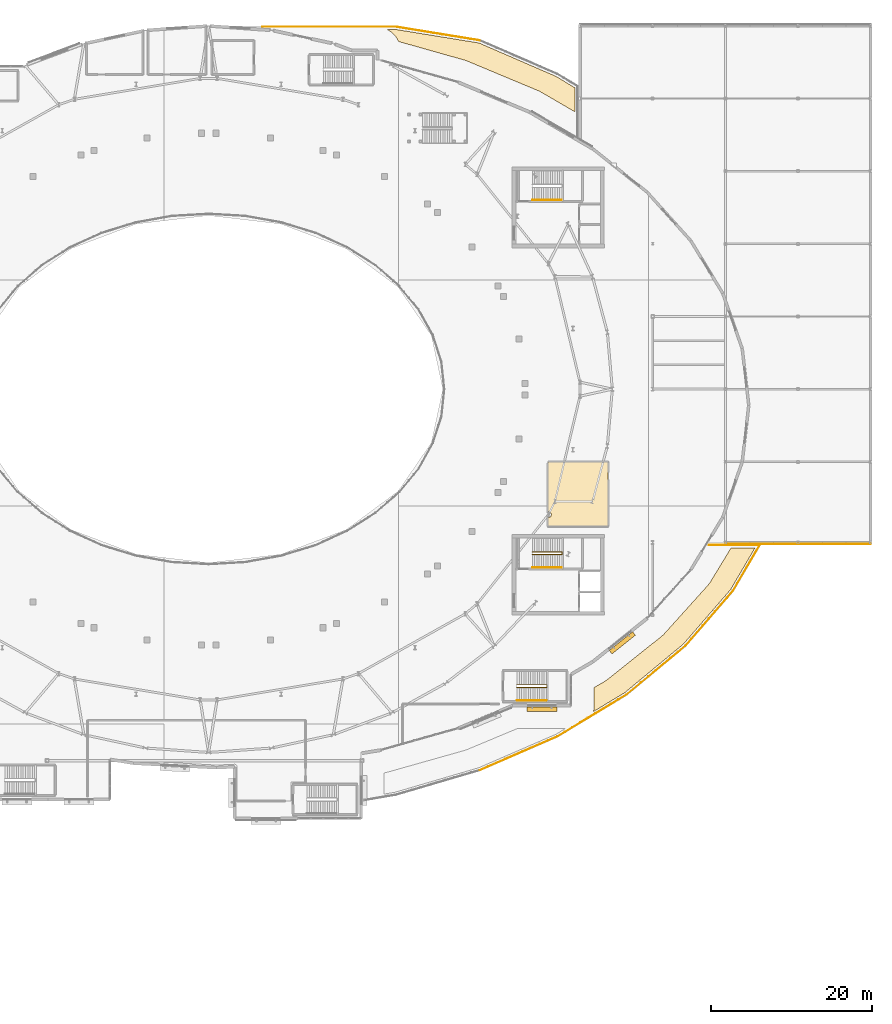
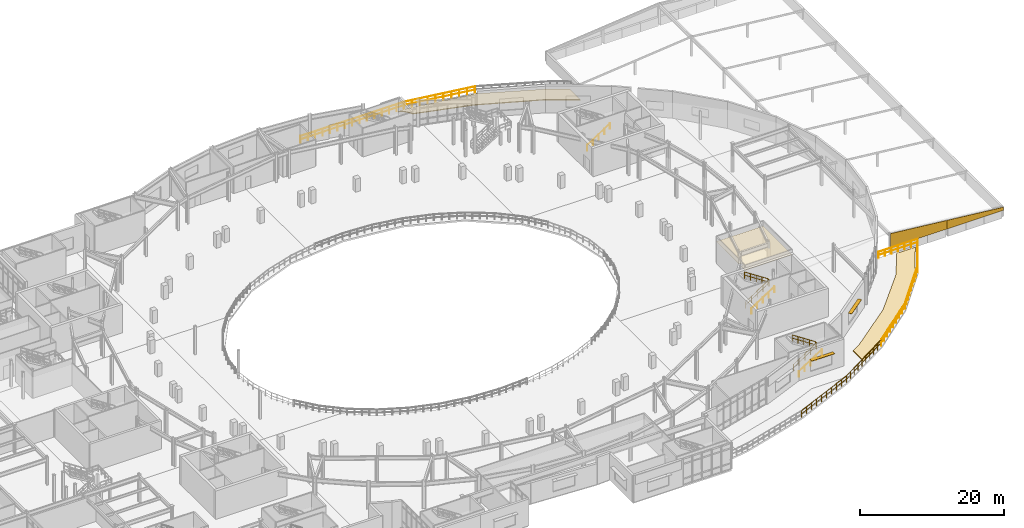
# One storey, part 83 of 84: 13 railings, 5 coverings, 2 shading devices.
"""IFC4 building model written with IfcOpenShell, lengths in metres."""

from ifc_helpers import new_model, si_unit, direction, frame, origin, origin_2d, place, context, subcontext, project, spatial, polyline, rectangle, circle, outline, extrude, material, layer, layer_set, type_object, element, save


model = new_model("IFC4")

# Units and contexts
model_context = context("Model", 3, precision=1e-05, world=origin(), true_north=direction((0.0, 1.0)))
body_context = subcontext(model_context, "Body", "Model", "MODEL_VIEW")
ifc_project = project(units=[si_unit("LENGTHUNIT", "METRE"), si_unit("AREAUNIT", "SQUARE_METRE"), si_unit("VOLUMEUNIT", "CUBIC_METRE"), si_unit("PLANEANGLEUNIT", "RADIAN"), si_unit("MASSUNIT", "GRAM", prefix="KILO")], contexts=[model_context])

# Site, building, storey
site_placement = place(None, origin())
site = spatial("IfcSite", under=ifc_project, at=site_placement, CompositionType="ELEMENT")
building_placement = place(site_placement, origin())
building = spatial("IfcBuilding", under=site, at=building_placement, Name="Glasvene Arena", CompositionType="ELEMENT")
storey_placement = place(building_placement, frame((0.0, 0.0, 10.199951171875)))
storey = spatial("IfcBuildingStorey", under=building, at=storey_placement, Name="L02", CompositionType="ELEMENT", Elevation=10.199951171875)

# Coverings
ifc_material_1 = material(Name="Perforated acoustic mineral ceiling tile")
ifc_layer_1 = layer(ifc_material_1, 0.0400390625)
ifc_layer_set_1 = layer_set([ifc_layer_1], Name="Perforated acoustic mineral ceiling tile")
covering_type_1 = type_object("IfcCoveringType", Name="COV-CEIL-AC", PredefinedType="CEILING", material=ifc_layer_set_1)
covering_1_placement = place(storey_placement, frame((134.67333984375, 57.94970703125, 3.580078125)))
element("IfcCovering", 1, at=covering_1_placement, inside=storey, type_object=covering_type_1, Name="Acoustic suspended ceiling Prairie Club Lounge East", PredefinedType="CEILING", context=body_context, shape_type="SweptSolid", body=[
    extrude(outline(polyline([(-0.613525390625, 6.0302734375), (6.806640625, 6.0302734375), (6.806640625, -1.9296875), (-0.6533203125, -1.9296875), (-0.6533203125, -0.834228515625), (-0.600830078125, -0.8447265625), (-0.585205078125, -0.84619140625), (-0.569580078125, -0.8447265625), (-0.46240234375, -0.8232421875), (-0.447509765625, -0.81884765625), (-0.43359375, -0.8115234375), (-0.3427734375, -0.750732421875), (-0.33056640625, -0.74072265625), (-0.32080078125, -0.728515625), (-0.260009765625, -0.6376953125), (-0.252685546875, -0.6240234375), (-0.248046875, -0.60888671875), (-0.226806640625, -0.501708984375), (-0.225341796875, -0.486328125), (-0.226806640625, -0.470703125), (-0.248046875, -0.363525390625), (-0.252685546875, -0.348388671875), (-0.260009765625, -0.334716796875), (-0.32080078125, -0.243896484375), (-0.33056640625, -0.231689453125), (-0.3427734375, -0.2216796875), (-0.43359375, -0.160888671875), (-0.447509765625, -0.153564453125), (-0.46240234375, -0.149169921875), (-0.569580078125, -0.127685546875), (-0.585205078125, -0.126220703125), (-0.600830078125, -0.127685546875), (-0.6533203125, -0.13818359375), (-0.6533203125, 5.89599609375), (-0.613525390625, 6.0302734375)])), origin(), (0.0, 0.0, 1.0), 0.0400390625),
])
ifc_material_2 = material(Name="Coursed pale Irish limestone", Category="masonry")
ifc_layer_2 = layer(ifc_material_2, 0.050048828125)
ifc_layer_set_2 = layer_set([ifc_layer_2], Name="Coursed pale Irish limestone")
covering_type_2 = type_object("IfcCoveringType", Name="COV-CLAD-LIM", PredefinedType="CLADDING", material=ifc_layer_set_2)
covering_2_placement = place(storey_placement, frame((156.0, 53.7919921875, 1.06005859375), z_axis=(0.0, -1.0, 0.0), x_axis=(1.0, 0.0, 0.0)))
element("IfcCovering", 2, at=covering_2_placement, inside=storey, type_object=covering_type_2, Name="Wing gable architectural fascia cladding V5-001", PredefinedType="CLADDING", context=body_context, shape_type="SweptSolid", body=[
    extrude(outline(polyline([(0.0, 0.0), (9.0, 0.0), (9.0, 1.452880859375), (0.0, 2.3779296875), (0.0, 0.0)])), origin(), (0.0, 0.0, -1.0), 0.050048828125),
])
covering_3_placement = place(storey_placement, frame((165.0, 53.7919921875, 1.06005859375), z_axis=(0.0, -1.0, 0.0), x_axis=(1.0, 0.0, 0.0)))
element("IfcCovering", 3, at=covering_3_placement, inside=storey, type_object=covering_type_2, Name="Wing gable architectural fascia cladding V5-002", PredefinedType="CLADDING", context=body_context, shape_type="SweptSolid", body=[
    extrude(outline(polyline([(0.0, 0.0), (9.0, 0.0), (9.0, 0.528076171875), (0.0, 1.452880859375), (0.0, 0.0)])), origin(), (0.0, 0.0, -1.0), 0.050048828125),
])
ifc_material_3 = material(Name="Planted sedum green roof substrate")
ifc_layer_3 = layer(ifc_material_3, 0.1201171875)
ifc_layer_set_3 = layer_set([ifc_layer_3], Name="Planted sedum green roof substrate")
covering_type_3 = type_object("IfcCoveringType", Name="COV-ROOF-SEDUM", PredefinedType="ROOFING", material=ifc_layer_set_3)
covering_4_placement = place(storey_placement, frame((147.01904296875, 41.32080078125, 0.0)))
element("IfcCovering", 4, at=covering_4_placement, inside=storey, type_object=covering_type_3, Name="Planted limestone terrace sedum bed TR-L02-STEP1-1-02", PredefinedType="ROOFING", context=body_context, shape_type="SweptSolid", body=[
    extrude(outline(polyline([(-7.3701171875, -8.263916015625), (-7.32861328125, -8.098388671875), (-7.320068359375, -8.054931640625), (-7.285400390625, -7.822021484375), (-7.28125, -7.778076171875), (-7.26953125, -7.54296875), (-7.26904296875, -7.520751953125), (-7.26904296875, -5.279052734375), (-5.9873046875, -4.533203125), (-5.95947265625, -4.515625), (-5.669921875, -4.3173828125), (-5.6435546875, -4.2978515625), (1.072509765625, 1.059814453125), (1.086669921875, 1.071533203125), (1.236083984375, 1.201171875), (1.26318359375, 1.226806640625), (1.4013671875, 1.3681640625), (1.4140625, 1.381591796875), (6.817138671875, 7.38916015625), (6.8310546875, 7.405029296875), (6.972412109375, 7.577880859375), (6.99755859375, 7.611572265625), (7.122314453125, 7.796875), (7.133544921875, 7.814453125), (9.69580078125, 12.029296875), (12.65966796875, 12.029296875), (9.63232421875, 6.85693359375), (3.79296875, 0.113037109375), (-3.474853515625, -5.909423828125), (-7.3701171875, -8.263916015625)])), origin(), (0.0, 0.0, 1.0), 0.1201171875),
])
covering_5_placement = place(storey_placement, frame((121.229736328125, 114.74755859375, 0.0)))
element("IfcCovering", 5, at=covering_5_placement, inside=storey, type_object=covering_type_3, Name="Planted limestone terrace sedum bed TR-L02-STEP1-2-03", PredefinedType="ROOFING", context=body_context, shape_type="SweptSolid", body=[
    extrude(outline(polyline([(-7.16796875, 2.802490234375), (-6.063232421875, 2.802490234375), (4.261962890625, 1.125), (13.7958984375, -3.009765625), (16.120361328125, -4.414794921875), (16.120361328125, -7.392578125), (11.938720703125, -4.95947265625), (11.91259765625, -4.9453125), (11.63037109375, -4.804931640625), (11.603271484375, -4.792724609375), (2.786376953125, -1.111328125), (2.760986328125, -1.1015625), (2.48828125, -1.006591796875), (2.46240234375, -0.99853515625), (-5.70263671875, 1.3056640625), (-5.806396484375, 1.526123046875), (-5.8271484375, 1.565185546875), (-5.9482421875, 1.76708984375), (-5.97265625, 1.803955078125), (-6.113037109375, 1.992919921875), (-6.14111328125, 2.027099609375), (-6.29931640625, 2.20166015625), (-6.330322265625, 2.23291015625), (-6.505126953125, 2.39111328125), (-6.5390625, 2.419189453125), (-6.728271484375, 2.559326171875), (-6.76513671875, 2.583984375), (-6.967041015625, 2.705078125), (-7.005859375, 2.725830078125), (-7.16796875, 2.802490234375)])), origin(), (0.0, 0.0, 1.0), 0.1201171875),
])

# Railings
ifc_material_4 = material(Name="Brushed stainless steel", Category="steel")
railing_type_1 = type_object("IfcRailingType", Name="RL-GUARD-1100", PredefinedType="GUARDRAIL", material=ifc_material_4)
railing_1_placement = place(storey_placement, frame((132.10009765625, 52.510009765625, 0.0)))
element("IfcRailing", 6, at=railing_1_placement, inside=storey, type_object=railing_type_1, Name="Stair inner well continuous guardrail ST-04-L02", PredefinedType="GUARDRAIL", context=body_context, shape_type="SweptSolid", body=[
    extrude(circle(Radius=0.02392578125, at=origin_2d()), frame((0.0, 0.0, 1.076171875), z_axis=(0.837590697589, 0.0, 0.546298291515), x_axis=(0.0, 1.0, 0.0)), (0.0, 0.0, 1.0), 4.3935546875),
    extrude(circle(Radius=0.01611328125, at=origin_2d()), frame((0.0, 0.0, 0.550048828125), z_axis=(0.837590697589, 0.0, 0.546298291515), x_axis=(0.0, 1.0, 0.0)), (0.0, 0.0, 1.0), 4.3935546875),
    extrude(circle(Radius=0.02392578125, at=origin_2d()), frame((3.679931640625, 0.0, 3.47607421875), z_axis=(0.0, 1.0, 0.0), x_axis=(-1.0, 0.0, 0.0)), (0.0, 0.0, 1.0), 0.330078125),
    extrude(circle(Radius=0.01611328125, at=origin_2d()), frame((3.679931640625, 0.0, 2.9501953125), z_axis=(0.0, 1.0, 0.0), x_axis=(-1.0, 0.0, 0.0)), (0.0, 0.0, 1.0), 0.330078125),
    extrude(circle(Radius=0.02392578125, at=origin_2d()), frame((3.679931640625, 0.330078125, 3.47607421875), z_axis=(-0.837616124378, 0.0, 0.546259304892), x_axis=(0.0, -1.0, 0.0)), (0.0, 0.0, 1.0), 4.393310546875),
    extrude(circle(Radius=0.01611328125, at=origin_2d()), frame((3.679931640625, 0.330078125, 2.9501953125), z_axis=(-0.837616124378, 0.0, 0.546259304892), x_axis=(0.0, -1.0, 0.0)), (0.0, 0.0, 1.0), 4.393310546875),
    extrude(circle(Radius=0.02099609375, at=origin_2d()), origin(), (0.0, 0.0, 1.0), 1.052001953125),
    extrude(circle(Radius=0.02099609375, at=origin_2d()), frame((0.919921875, 0.0, 0.60009765625)), (0.0, 0.0, 1.0), 1.052001953125),
    extrude(circle(Radius=0.02099609375, at=origin_2d()), frame((1.83984375, 0.0, 1.2001953125)), (0.0, 0.0, 1.0), 1.052001953125),
    extrude(circle(Radius=0.02099609375, at=origin_2d()), frame((2.760009765625, 0.0, 1.800048828125)), (0.0, 0.0, 1.0), 1.052001953125),
    extrude(circle(Radius=0.02099609375, at=origin_2d()), frame((3.679931640625, 0.0, 2.400146484375)), (0.0, 0.0, 1.0), 1.052001953125),
    extrude(circle(Radius=0.02099609375, at=origin_2d()), frame((3.679931640625, 0.330078125, 2.400146484375)), (0.0, 0.0, 1.0), 1.052001953125),
    extrude(circle(Radius=0.02099609375, at=origin_2d()), frame((2.760009765625, 0.330078125, 3.0)), (0.0, 0.0, 1.0), 1.052001953125),
    extrude(circle(Radius=0.02099609375, at=origin_2d()), frame((1.83984375, 0.330078125, 3.60009765625)), (0.0, 0.0, 1.0), 1.052001953125),
    extrude(circle(Radius=0.02099609375, at=origin_2d()), frame((0.919921875, 0.330078125, 4.2001953125)), (0.0, 0.0, 1.0), 1.052001953125),
    extrude(circle(Radius=0.02099609375, at=origin_2d()), frame((0.0, 0.330078125, 4.800048828125)), (0.0, 0.0, 1.0), 1.052001953125),
])
railing_2_placement = place(storey_placement, frame((130.199951171875, 36.06005859375, 0.0)))
element("IfcRailing", 7, at=railing_2_placement, inside=storey, type_object=railing_type_1, Name="Stair inner well continuous guardrail ST-06-L02", PredefinedType="GUARDRAIL", context=body_context, shape_type="SweptSolid", body=[
    extrude(circle(Radius=0.02392578125, at=origin_2d()), frame((0.0, 0.0, 1.076171875), z_axis=(0.837590697589, 0.0, 0.546298291515), x_axis=(0.0, 1.0, 0.0)), (0.0, 0.0, 1.0), 4.3935546875),
    extrude(circle(Radius=0.01611328125, at=origin_2d()), frame((0.0, 0.0, 0.550048828125), z_axis=(0.837590697589, 0.0, 0.546298291515), x_axis=(0.0, 1.0, 0.0)), (0.0, 0.0, 1.0), 4.3935546875),
    extrude(circle(Radius=0.02392578125, at=origin_2d()), frame((3.679931640625, 0.0, 3.47607421875), z_axis=(0.0, 1.0, 0.0), x_axis=(-1.0, 0.0, 0.0)), (0.0, 0.0, 1.0), 0.329833984375),
    extrude(circle(Radius=0.01611328125, at=origin_2d()), frame((3.679931640625, 0.0, 2.9501953125), z_axis=(0.0, 1.0, 0.0), x_axis=(-1.0, 0.0, 0.0)), (0.0, 0.0, 1.0), 0.329833984375),
    extrude(circle(Radius=0.02392578125, at=origin_2d()), frame((3.679931640625, 0.329833984375, 3.47607421875), z_axis=(-0.837616124378, 0.0, 0.546259304892), x_axis=(0.0, -1.0, 0.0)), (0.0, 0.0, 1.0), 4.393310546875),
    extrude(circle(Radius=0.01611328125, at=origin_2d()), frame((3.679931640625, 0.329833984375, 2.9501953125), z_axis=(-0.837616124378, 0.0, 0.546259304892), x_axis=(0.0, -1.0, 0.0)), (0.0, 0.0, 1.0), 4.393310546875),
    extrude(circle(Radius=0.02099609375, at=origin_2d()), origin(), (0.0, 0.0, 1.0), 1.052001953125),
    extrude(circle(Radius=0.02099609375, at=origin_2d()), frame((0.919921875, 0.0, 0.60009765625)), (0.0, 0.0, 1.0), 1.052001953125),
    extrude(circle(Radius=0.02099609375, at=origin_2d()), frame((1.83984375, 0.0, 1.2001953125)), (0.0, 0.0, 1.0), 1.052001953125),
    extrude(circle(Radius=0.02099609375, at=origin_2d()), frame((2.760009765625, 0.0, 1.800048828125)), (0.0, 0.0, 1.0), 1.052001953125),
    extrude(circle(Radius=0.02099609375, at=origin_2d()), frame((3.679931640625, 0.0, 2.400146484375)), (0.0, 0.0, 1.0), 1.052001953125),
    extrude(circle(Radius=0.02099609375, at=origin_2d()), frame((3.679931640625, 0.329833984375, 2.400146484375)), (0.0, 0.0, 1.0), 1.052001953125),
    extrude(circle(Radius=0.02099609375, at=origin_2d()), frame((2.760009765625, 0.329833984375, 3.0)), (0.0, 0.0, 1.0), 1.052001953125),
    extrude(circle(Radius=0.02099609375, at=origin_2d()), frame((1.83984375, 0.329833984375, 3.60009765625)), (0.0, 0.0, 1.0), 1.052001953125),
    extrude(circle(Radius=0.02099609375, at=origin_2d()), frame((0.919921875, 0.329833984375, 4.2001953125)), (0.0, 0.0, 1.0), 1.052001953125),
    extrude(circle(Radius=0.02099609375, at=origin_2d()), frame((0.0, 0.329833984375, 4.800048828125)), (0.0, 0.0, 1.0), 1.052001953125),
])
ifc_material_5 = material(Name="Warm bronze architectural aluminium", Category="aluminium")
railing_type_2 = type_object("IfcRailingType", Name="RL-GUARD-EXT-1150", PredefinedType="GUARDRAIL", material=ifc_material_5)
railing_3_placement = place(storey_placement, frame((160.254150390625, 53.679931640625, 0.0)))
element("IfcRailing", 8, at=railing_3_placement, inside=storey, type_object=railing_type_2, Name="Safety guardrail GD-TER-L02-TR-L02-STEP1-1-01-001", PredefinedType="GUARDRAIL", context=body_context, shape_type="SweptSolid", body=[
    extrude(circle(Radius=0.02392578125, at=origin_2d()), frame((0.0, 0.0, 1.1259765625), z_axis=(-0.505128794085, -0.86304397419, 0.0), x_axis=(0.86304397419, -0.505128794085, 0.0)), (0.0, 0.0, 1.0), 6.598876953125),
    extrude(circle(Radius=0.01611328125, at=origin_2d()), frame((0.0, 0.0, 0.574951171875), z_axis=(-0.505128794085, -0.86304397419, 0.0), x_axis=(0.86304397419, -0.505128794085, 0.0)), (0.0, 0.0, 1.0), 6.598876953125),
    extrude(circle(Radius=0.02099609375, at=origin_2d()), origin(), (0.0, 0.0, 1.0), 1.101806640625),
    extrude(circle(Radius=0.02099609375, at=origin_2d()), frame((-0.5556640625, -0.94921875, 0.0)), (0.0, 0.0, 1.0), 1.101806640625),
    extrude(circle(Radius=0.02099609375, at=origin_2d()), frame((-1.111083984375, -1.8984375, 0.0)), (0.0, 0.0, 1.0), 1.101806640625),
    extrude(circle(Radius=0.02099609375, at=origin_2d()), frame((-1.66650390625, -2.84765625, 0.0)), (0.0, 0.0, 1.0), 1.101806640625),
    extrude(circle(Radius=0.02099609375, at=origin_2d()), frame((-2.22216796875, -3.796630859375, 0.0)), (0.0, 0.0, 1.0), 1.101806640625),
    extrude(circle(Radius=0.02099609375, at=origin_2d()), frame((-2.77783203125, -4.745849609375, 0.0)), (0.0, 0.0, 1.0), 1.101806640625),
    extrude(circle(Radius=0.02099609375, at=origin_2d()), frame((-3.333251953125, -5.695068359375, 0.0)), (0.0, 0.0, 1.0), 1.101806640625),
])
railing_4_placement = place(storey_placement, frame((156.9208984375, 47.98486328125, 0.0)))
element("IfcRailing", 9, at=railing_4_placement, inside=storey, type_object=railing_type_2, Name="Safety guardrail GD-TER-L02-TR-L02-STEP1-1-01-002", PredefinedType="GUARDRAIL", context=body_context, shape_type="SweptSolid", body=[
    extrude(circle(Radius=0.02392578125, at=origin_2d()), frame((0.0, 0.0, 1.1259765625), z_axis=(-0.654587813203, -0.75598597527, 0.0), x_axis=(0.75598597527, -0.654587813203, 0.0)), (0.0, 0.0, 1.0), 8.978515625),
    extrude(circle(Radius=0.01611328125, at=origin_2d()), frame((0.0, 0.0, 0.574951171875), z_axis=(-0.654587813203, -0.75598597527, 0.0), x_axis=(0.75598597527, -0.654587813203, 0.0)), (0.0, 0.0, 1.0), 8.978515625),
    extrude(circle(Radius=0.02099609375, at=origin_2d()), origin(), (0.0, 0.0, 1.0), 1.101806640625),
    extrude(circle(Radius=0.02099609375, at=origin_2d()), frame((-0.734619140625, -0.848388671875, 0.0)), (0.0, 0.0, 1.0), 1.101806640625),
    extrude(circle(Radius=0.02099609375, at=origin_2d()), frame((-1.46923828125, -1.69677734375, 0.0)), (0.0, 0.0, 1.0), 1.101806640625),
    extrude(circle(Radius=0.02099609375, at=origin_2d()), frame((-2.203857421875, -2.54541015625, 0.0)), (0.0, 0.0, 1.0), 1.101806640625),
    extrude(circle(Radius=0.02099609375, at=origin_2d()), frame((-2.9384765625, -3.393798828125, 0.0)), (0.0, 0.0, 1.0), 1.101806640625),
    extrude(circle(Radius=0.02099609375, at=origin_2d()), frame((-3.67333984375, -4.2421875, 0.0)), (0.0, 0.0, 1.0), 1.101806640625),
    extrude(circle(Radius=0.02099609375, at=origin_2d()), frame((-4.407958984375, -5.0908203125, 0.0)), (0.0, 0.0, 1.0), 1.101806640625),
    extrude(circle(Radius=0.02099609375, at=origin_2d()), frame((-5.142578125, -5.939208984375, 0.0)), (0.0, 0.0, 1.0), 1.101806640625),
    extrude(circle(Radius=0.02099609375, at=origin_2d()), frame((-5.877197265625, -6.78759765625, 0.0)), (0.0, 0.0, 1.0), 1.101806640625),
])
railing_5_placement = place(storey_placement, frame((151.043701171875, 41.197265625, 0.0)))
element("IfcRailing", 10, at=railing_5_placement, inside=storey, type_object=railing_type_2, Name="Safety guardrail GD-TER-L02-TR-L02-STEP1-1-01-003", PredefinedType="GUARDRAIL", context=body_context, shape_type="SweptSolid", body=[
    extrude(circle(Radius=0.02392578125, at=origin_2d()), frame((0.0, 0.0, 1.1259765625), z_axis=(-0.769991590417, -0.6380540343, 0.0), x_axis=(0.6380540343, -0.769991590417, 0.0)), (0.0, 0.0, 1.0), 9.49072265625),
    extrude(circle(Radius=0.01611328125, at=origin_2d()), frame((0.0, 0.0, 0.574951171875), z_axis=(-0.769991590417, -0.6380540343, 0.0), x_axis=(0.6380540343, -0.769991590417, 0.0)), (0.0, 0.0, 1.0), 9.49072265625),
    extrude(circle(Radius=0.02099609375, at=origin_2d()), origin(), (0.0, 0.0, 1.0), 1.101806640625),
    extrude(circle(Radius=0.02099609375, at=origin_2d()), frame((-0.91357421875, -0.7568359375, 0.0)), (0.0, 0.0, 1.0), 1.101806640625),
    extrude(circle(Radius=0.02099609375, at=origin_2d()), frame((-1.826904296875, -1.513916015625, 0.0)), (0.0, 0.0, 1.0), 1.101806640625),
    extrude(circle(Radius=0.02099609375, at=origin_2d()), frame((-2.740478515625, -2.27099609375, 0.0)), (0.0, 0.0, 1.0), 1.101806640625),
    extrude(circle(Radius=0.02099609375, at=origin_2d()), frame((-3.65380859375, -3.02783203125, 0.0)), (0.0, 0.0, 1.0), 1.101806640625),
    extrude(circle(Radius=0.02099609375, at=origin_2d()), frame((-4.5673828125, -3.78466796875, 0.0)), (0.0, 0.0, 1.0), 1.101806640625),
    extrude(circle(Radius=0.02099609375, at=origin_2d()), frame((-5.48095703125, -4.541748046875, 0.0)), (0.0, 0.0, 1.0), 1.101806640625),
    extrude(circle(Radius=0.02099609375, at=origin_2d()), frame((-6.394287109375, -5.298828125, 0.0)), (0.0, 0.0, 1.0), 1.101806640625),
    extrude(circle(Radius=0.02099609375, at=origin_2d()), frame((-7.307861328125, -6.0556640625, 0.0)), (0.0, 0.0, 1.0), 1.101806640625),
])
railing_6_placement = place(storey_placement, frame((143.73583984375, 35.1416015625, 0.0)))
element("IfcRailing", 11, at=railing_6_placement, inside=storey, type_object=railing_type_2, Name="Safety guardrail GD-TER-L02-TR-L02-STEP1-1-01-004", PredefinedType="GUARDRAIL", context=body_context, shape_type="SweptSolid", body=[
    extrude(circle(Radius=0.02392578125, at=origin_2d()), frame((0.0, 0.0, 1.1259765625), z_axis=(-0.855814676405, -0.517282553011, 0.0), x_axis=(0.517282553011, -0.855814676405, 0.0)), (0.0, 0.0, 1.0), 10.00048828125),
    extrude(circle(Radius=0.01611328125, at=origin_2d()), frame((0.0, 0.0, 0.574951171875), z_axis=(-0.855814676405, -0.517282553011, 0.0), x_axis=(0.517282553011, -0.855814676405, 0.0)), (0.0, 0.0, 1.0), 10.00048828125),
    extrude(circle(Radius=0.02099609375, at=origin_2d()), origin(), (0.0, 0.0, 1.0), 1.101806640625),
    extrude(circle(Radius=0.02099609375, at=origin_2d()), frame((-0.950927734375, -0.57470703125, 0.0)), (0.0, 0.0, 1.0), 1.101806640625),
    extrude(circle(Radius=0.02099609375, at=origin_2d()), frame((-1.90185546875, -1.149658203125, 0.0)), (0.0, 0.0, 1.0), 1.101806640625),
    extrude(circle(Radius=0.02099609375, at=origin_2d()), frame((-2.852783203125, -1.724365234375, 0.0)), (0.0, 0.0, 1.0), 1.101806640625),
    extrude(circle(Radius=0.02099609375, at=origin_2d()), frame((-3.8037109375, -2.299072265625, 0.0)), (0.0, 0.0, 1.0), 1.101806640625),
    extrude(circle(Radius=0.02099609375, at=origin_2d()), frame((-4.7548828125, -2.8740234375, 0.0)), (0.0, 0.0, 1.0), 1.101806640625),
    extrude(circle(Radius=0.02099609375, at=origin_2d()), frame((-5.705810546875, -3.44873046875, 0.0)), (0.0, 0.0, 1.0), 1.101806640625),
    extrude(circle(Radius=0.02099609375, at=origin_2d()), frame((-6.65673828125, -4.0234375, 0.0)), (0.0, 0.0, 1.0), 1.101806640625),
    extrude(circle(Radius=0.02099609375, at=origin_2d()), frame((-7.607666015625, -4.598388671875, 0.0)), (0.0, 0.0, 1.0), 1.101806640625),
    extrude(circle(Radius=0.02099609375, at=origin_2d()), frame((-8.55859375, -5.173095703125, 0.0)), (0.0, 0.0, 1.0), 1.101806640625),
])
railing_7_placement = place(storey_placement, frame((135.17724609375, 29.968505859375, 0.0)))
element("IfcRailing", 12, at=railing_7_placement, inside=storey, type_object=railing_type_2, Name="Safety guardrail GD-TER-L02-TR-L02-STEP1-1-01-005", PredefinedType="GUARDRAIL", context=body_context, shape_type="SweptSolid", body=[
    extrude(circle(Radius=0.02392578125, at=origin_2d()), frame((0.0, 0.0, 1.1259765625), z_axis=(-0.917431007481, -0.397894893801, 0.0), x_axis=(0.397894893801, -0.917431007481, 0.0)), (0.0, 0.0, 1.0), 10.462890625),
    extrude(circle(Radius=0.01611328125, at=origin_2d()), frame((0.0, 0.0, 0.574951171875), z_axis=(-0.917431007481, -0.397894893801, 0.0), x_axis=(0.397894893801, -0.917431007481, 0.0)), (0.0, 0.0, 1.0), 10.462890625),
    extrude(circle(Radius=0.02099609375, at=origin_2d()), origin(), (0.0, 0.0, 1.0), 1.101806640625),
    extrude(circle(Radius=0.02099609375, at=origin_2d()), frame((-1.066650390625, -0.462646484375, 0.0)), (0.0, 0.0, 1.0), 1.101806640625),
    extrude(circle(Radius=0.02099609375, at=origin_2d()), frame((-2.133056640625, -0.925048828125, 0.0)), (0.0, 0.0, 1.0), 1.101806640625),
    extrude(circle(Radius=0.02099609375, at=origin_2d()), frame((-3.19970703125, -1.3876953125, 0.0)), (0.0, 0.0, 1.0), 1.101806640625),
    extrude(circle(Radius=0.02099609375, at=origin_2d()), frame((-4.26611328125, -1.850341796875, 0.0)), (0.0, 0.0, 1.0), 1.101806640625),
    extrude(circle(Radius=0.02099609375, at=origin_2d()), frame((-5.332763671875, -2.312744140625, 0.0)), (0.0, 0.0, 1.0), 1.101806640625),
    extrude(circle(Radius=0.02099609375, at=origin_2d()), frame((-6.399169921875, -2.775390625, 0.0)), (0.0, 0.0, 1.0), 1.101806640625),
    extrude(circle(Radius=0.02099609375, at=origin_2d()), frame((-7.4658203125, -3.238037109375, 0.0)), (0.0, 0.0, 1.0), 1.101806640625),
    extrude(circle(Radius=0.02099609375, at=origin_2d()), frame((-8.5322265625, -3.700439453125, 0.0)), (0.0, 0.0, 1.0), 1.101806640625),
    extrude(circle(Radius=0.02099609375, at=origin_2d()), frame((-9.598876953125, -4.1630859375, 0.0)), (0.0, 0.0, 1.0), 1.101806640625),
])
railing_8_placement = place(storey_placement, frame((153.98974609375, 53.679931640625, 0.0)))
element("IfcRailing", 13, at=railing_8_placement, inside=storey, type_object=railing_type_2, Name="Safety guardrail GD-TER-L02-TR-L02-STEP1-1-02-001", PredefinedType="GUARDRAIL", context=body_context, shape_type="SweptSolid", body=[
    extrude(circle(Radius=0.02392578125, at=origin_2d()), frame((0.0, 0.0, 1.1259765625), z_axis=(1.0, 0.0, 0.0), x_axis=(0.0, 1.0, 0.0)), (0.0, 0.0, 1.0), 6.264404296875),
    extrude(circle(Radius=0.01611328125, at=origin_2d()), frame((0.0, 0.0, 0.574951171875), z_axis=(1.0, 0.0, 0.0), x_axis=(0.0, 1.0, 0.0)), (0.0, 0.0, 1.0), 6.264404296875),
    extrude(circle(Radius=0.02099609375, at=origin_2d()), origin(), (0.0, 0.0, 1.0), 1.101806640625),
    extrude(circle(Radius=0.02099609375, at=origin_2d()), frame((1.0439453125, 0.0, 0.0)), (0.0, 0.0, 1.0), 1.101806640625),
    extrude(circle(Radius=0.02099609375, at=origin_2d()), frame((2.088134765625, 0.0, 0.0)), (0.0, 0.0, 1.0), 1.101806640625),
    extrude(circle(Radius=0.02099609375, at=origin_2d()), frame((3.13232421875, 0.0, 0.0)), (0.0, 0.0, 1.0), 1.101806640625),
    extrude(circle(Radius=0.02099609375, at=origin_2d()), frame((4.17626953125, 0.0, 0.0)), (0.0, 0.0, 1.0), 1.101806640625),
    extrude(circle(Radius=0.02099609375, at=origin_2d()), frame((5.22021484375, 0.0, 0.0)), (0.0, 0.0, 1.0), 1.101806640625),
    extrude(circle(Radius=0.02099609375, at=origin_2d()), frame((6.264404296875, 0.0, 0.0)), (0.0, 0.0, 1.0), 1.101806640625),
])
railing_9_placement = place(storey_placement, frame((98.648193359375, 117.8798828125, 0.0)))
element("IfcRailing", 14, at=railing_9_placement, inside=storey, type_object=railing_type_2, Name="Safety guardrail GD-TER-L02-TR-L02-STEP1-2-01-001", PredefinedType="GUARDRAIL", context=body_context, shape_type="SweptSolid", body=[
    extrude(circle(Radius=0.02392578125, at=origin_2d()), frame((0.0, 0.0, 1.1259765625), z_axis=(1.0, 0.0, 0.0), x_axis=(0.0, 1.0, 0.0)), (0.0, 0.0, 1.0), 16.544921875),
    extrude(circle(Radius=0.01611328125, at=origin_2d()), frame((0.0, 0.0, 0.574951171875), z_axis=(1.0, 0.0, 0.0), x_axis=(0.0, 1.0, 0.0)), (0.0, 0.0, 1.0), 16.544921875),
    extrude(circle(Radius=0.02099609375, at=origin_2d()), origin(), (0.0, 0.0, 1.0), 1.101806640625),
    extrude(circle(Radius=0.02099609375, at=origin_2d()), frame((1.181884765625, 0.0, 0.0)), (0.0, 0.0, 1.0), 1.101806640625),
    extrude(circle(Radius=0.02099609375, at=origin_2d()), frame((2.363525390625, 0.0, 0.0)), (0.0, 0.0, 1.0), 1.101806640625),
    extrude(circle(Radius=0.02099609375, at=origin_2d()), frame((3.54541015625, 0.0, 0.0)), (0.0, 0.0, 1.0), 1.101806640625),
    extrude(circle(Radius=0.02099609375, at=origin_2d()), frame((4.72705078125, 0.0, 0.0)), (0.0, 0.0, 1.0), 1.101806640625),
    extrude(circle(Radius=0.02099609375, at=origin_2d()), frame((5.908935546875, 0.0, 0.0)), (0.0, 0.0, 1.0), 1.101806640625),
    extrude(circle(Radius=0.02099609375, at=origin_2d()), frame((7.090576171875, 0.0, 0.0)), (0.0, 0.0, 1.0), 1.101806640625),
    extrude(circle(Radius=0.02099609375, at=origin_2d()), frame((8.2724609375, 0.0, 0.0)), (0.0, 0.0, 1.0), 1.101806640625),
    extrude(circle(Radius=0.02099609375, at=origin_2d()), frame((9.454345703125, 0.0, 0.0)), (0.0, 0.0, 1.0), 1.101806640625),
    extrude(circle(Radius=0.02099609375, at=origin_2d()), frame((10.635986328125, 0.0, 0.0)), (0.0, 0.0, 1.0), 1.101806640625),
    extrude(circle(Radius=0.02099609375, at=origin_2d()), frame((11.81787109375, 0.0, 0.0)), (0.0, 0.0, 1.0), 1.101806640625),
    extrude(circle(Radius=0.02099609375, at=origin_2d()), frame((12.99951171875, 0.0, 0.0)), (0.0, 0.0, 1.0), 1.101806640625),
    extrude(circle(Radius=0.02099609375, at=origin_2d()), frame((14.181396484375, 0.0, 0.0)), (0.0, 0.0, 1.0), 1.101806640625),
    extrude(circle(Radius=0.02099609375, at=origin_2d()), frame((15.363037109375, 0.0, 0.0)), (0.0, 0.0, 1.0), 1.101806640625),
    extrude(circle(Radius=0.02099609375, at=origin_2d()), frame((16.544921875, 0.0, 0.0)), (0.0, 0.0, 1.0), 1.101806640625),
])
railing_10_placement = place(storey_placement, frame((115.193115234375, 117.8798828125, 0.0)))
element("IfcRailing", 15, at=railing_10_placement, inside=storey, type_object=railing_type_2, Name="Safety guardrail GD-TER-L02-TR-L02-STEP1-2-01-002", PredefinedType="GUARDRAIL", context=body_context, shape_type="SweptSolid", body=[
    extrude(circle(Radius=0.02392578125, at=origin_2d()), frame((0.0, 0.0, 1.1259765625), z_axis=(0.987059984348, -0.16035144932, 0.0), x_axis=(0.16035144932, 0.987059984348, 0.0)), (0.0, 0.0, 1.0), 10.5283203125),
    extrude(circle(Radius=0.01611328125, at=origin_2d()), frame((0.0, 0.0, 0.574951171875), z_axis=(0.987059984348, -0.16035144932, 0.0), x_axis=(0.16035144932, 0.987059984348, 0.0)), (0.0, 0.0, 1.0), 10.5283203125),
    extrude(circle(Radius=0.02099609375, at=origin_2d()), origin(), (0.0, 0.0, 1.0), 1.101806640625),
    extrude(circle(Radius=0.02099609375, at=origin_2d()), frame((1.15478515625, -0.1875, 0.0)), (0.0, 0.0, 1.0), 1.101806640625),
    extrude(circle(Radius=0.02099609375, at=origin_2d()), frame((2.309326171875, -0.375244140625, 0.0)), (0.0, 0.0, 1.0), 1.101806640625),
    extrude(circle(Radius=0.02099609375, at=origin_2d()), frame((3.464111328125, -0.562744140625, 0.0)), (0.0, 0.0, 1.0), 1.101806640625),
    extrude(circle(Radius=0.02099609375, at=origin_2d()), frame((4.61865234375, -0.750244140625, 0.0)), (0.0, 0.0, 1.0), 1.101806640625),
    extrude(circle(Radius=0.02099609375, at=origin_2d()), frame((5.7734375, -0.93798828125, 0.0)), (0.0, 0.0, 1.0), 1.101806640625),
    extrude(circle(Radius=0.02099609375, at=origin_2d()), frame((6.927978515625, -1.12548828125, 0.0)), (0.0, 0.0, 1.0), 1.101806640625),
    extrude(circle(Radius=0.02099609375, at=origin_2d()), frame((8.082763671875, -1.31298828125, 0.0)), (0.0, 0.0, 1.0), 1.101806640625),
    extrude(circle(Radius=0.02099609375, at=origin_2d()), frame((9.2373046875, -1.500732421875, 0.0)), (0.0, 0.0, 1.0), 1.101806640625),
    extrude(circle(Radius=0.02099609375, at=origin_2d()), frame((10.39208984375, -1.688232421875, 0.0)), (0.0, 0.0, 1.0), 1.101806640625),
])
railing_type_3 = type_object("IfcRailingType", Name="RL-HAND-950", PredefinedType="HANDRAIL", material=ifc_material_4)
for number, where, name in (
    (16, (132.10009765625, 96.409912109375, 0.0), "Stair wall handrail ST-02-L02"),
    (17, (132.10009765625, 50.909912109375, 0.0), "Stair wall handrail ST-04-L02"),
):
    element("IfcRailing", number, at=place(storey_placement, frame(where)), inside=storey, type_object=railing_type_3, Name=name, PredefinedType="HANDRAIL", context=body_context, shape_type="SweptSolid", body=[
        extrude(circle(Radius=0.02392578125, at=origin_2d()), frame((0.0, 0.0, 0.92578125), z_axis=(0.834839479206, 0.0, 0.550493454965), x_axis=(0.0, 1.0, 0.0)), (0.0, 0.0, 1.0), 4.360107421875),
        extrude(circle(Radius=0.02099609375, at=origin_2d()), origin(), (0.0, 0.0, 1.0), 0.90185546875),
        extrude(circle(Radius=0.02099609375, at=origin_2d()), frame((0.909912109375, 0.0, 0.60009765625)), (0.0, 0.0, 1.0), 0.90185546875),
        extrude(circle(Radius=0.02099609375, at=origin_2d()), frame((1.81982421875, 0.0, 1.2001953125)), (0.0, 0.0, 1.0), 0.90185546875),
        extrude(circle(Radius=0.02099609375, at=origin_2d()), frame((2.72998046875, 0.0, 1.800048828125)), (0.0, 0.0, 1.0), 0.90185546875),
        extrude(circle(Radius=0.02099609375, at=origin_2d()), frame((3.639892578125, 0.0, 2.400146484375)), (0.0, 0.0, 1.0), 0.90185546875),
    ])
railing_11_placement = place(storey_placement, frame((130.199951171875, 34.4599609375, 0.0)))
element("IfcRailing", 18, at=railing_11_placement, inside=storey, type_object=railing_type_3, Name="Stair wall handrail ST-06-L02", PredefinedType="HANDRAIL", context=body_context, shape_type="SweptSolid", body=[
    extrude(circle(Radius=0.02392578125, at=origin_2d()), frame((0.0, 0.0, 0.92578125), z_axis=(0.834856447115, 0.0, 0.55046772177), x_axis=(0.0, 1.0, 0.0)), (0.0, 0.0, 1.0), 4.360107421875),
    extrude(circle(Radius=0.02099609375, at=origin_2d()), origin(), (0.0, 0.0, 1.0), 0.90185546875),
    extrude(circle(Radius=0.02099609375, at=origin_2d()), frame((0.91015625, 0.0, 0.60009765625)), (0.0, 0.0, 1.0), 0.90185546875),
    extrude(circle(Radius=0.02099609375, at=origin_2d()), frame((1.820068359375, 0.0, 1.2001953125)), (0.0, 0.0, 1.0), 0.90185546875),
    extrude(circle(Radius=0.02099609375, at=origin_2d()), frame((2.72998046875, 0.0, 1.800048828125)), (0.0, 0.0, 1.0), 0.90185546875),
    extrude(circle(Radius=0.02099609375, at=origin_2d()), frame((3.64013671875, 0.0, 2.400146484375)), (0.0, 0.0, 1.0), 0.90185546875),
])

# Shading devices
ifc_layer_4 = layer(ifc_material_5, 0.06005859375)
ifc_layer_set_4 = layer_set([ifc_layer_4], Name="Warm bronze architectural aluminium")
shading_device_type = type_object("IfcShadingDeviceType", Name="SHD-BRONZE-FIN", PredefinedType="USERDEFINED", material=ifc_layer_set_4)
for number, where, z_axis, x_axis, name in (
    (19, (143.23388671875, 41.581787109375, 2.969970703125), (0.0, 0.0, 1.0), (-0.781738199863, -0.623606756598, 0.0), "Warm bronze brise-soleil fin BS-052"),
    (20, (133.26953125, 33.35498046875, 2.969970703125), (0.0, 0.0, 1.0), (-1.0, 0.0, 0.0), "Warm bronze brise-soleil fin BS-053"),
):
    element("IfcShadingDevice", number, at=place(storey_placement, frame(where, z_axis=z_axis, x_axis=x_axis)), inside=storey, type_object=shading_device_type, Name=name, ObjectType="BRISE SOLEIL", PredefinedType="USERDEFINED", context=body_context, shape_type="SweptSolid", body=[
        extrude(rectangle(XDim=3.699951171875, YDim=0.550048828125, at=origin_2d()), origin(), (0.0, 0.0, 1.0), 0.06005859375),
    ])

save(model, "model.ifc")
